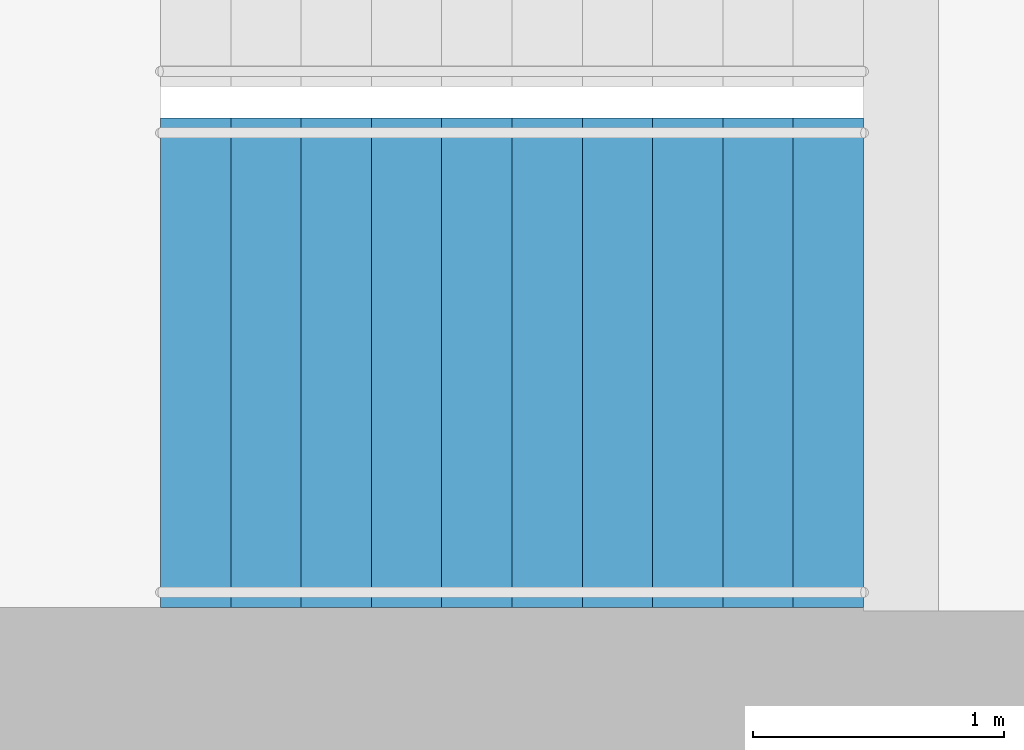
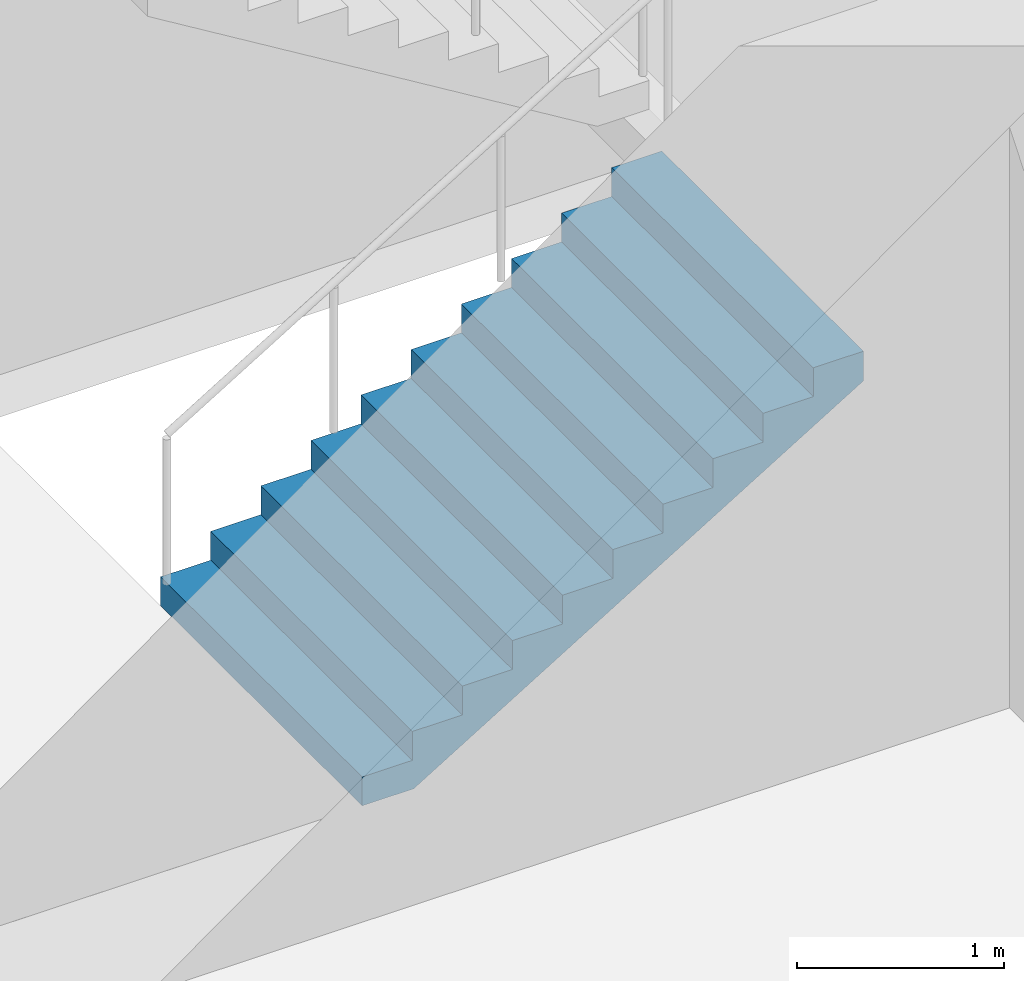
# One storey, part 18 of 22: 1 stair flight, 1 element without a shape of its own.
"""IFC4 building model written with IfcOpenShell, lengths in metres."""

from ifc_helpers import new_model, si_unit, direction, frame, origin, place, context, subcontext, project, spatial, triangles, material, type_object, element, aggregate, save


model = new_model("IFC4")

# Units and contexts
model_context = context("Model", 3, precision=1e-05, world=origin(), true_north=direction((0.0, 1.0)))
body_context = subcontext(model_context, "Body", "Model", "MODEL_VIEW")
ifc_project = project(units=[si_unit("LENGTHUNIT", "METRE"), si_unit("AREAUNIT", "SQUARE_METRE"), si_unit("VOLUMEUNIT", "CUBIC_METRE"), si_unit("PLANEANGLEUNIT", "RADIAN"), si_unit("MASSUNIT", "GRAM", prefix="KILO")], contexts=[model_context])

# Site, building, storey
site_placement = place(None, origin())
site = spatial("IfcSite", under=ifc_project, at=site_placement, CompositionType="ELEMENT")
building_placement = place(site_placement, origin())
building = spatial("IfcBuilding", under=site, at=building_placement, Name="Orbita Commons", CompositionType="ELEMENT")
storey_placement = place(building_placement, frame((0.0, 0.0, 197.35009765625)))
storey = spatial("IfcBuildingStorey", under=building, at=storey_placement, Name="L49", CompositionType="ELEMENT", Elevation=197.35009765625)

# Stair, stair flight
ifc_material_1 = material(Name="Precast concrete C40/50", Category="concrete")
stair_type = type_object("IfcStairType", Name="Exit stair S1 2 flights 11 risers 170", PredefinedType="HALF_TURN_STAIR", material=ifc_material_1)
stair_placement = place(storey_placement, origin())
stair = element("IfcStair", 1, at=stair_placement, inside=storey, type_object=stair_type, Name="Exit stair S1 L49", PredefinedType="HALF_TURN_STAIR")
ifc_material_2 = material(Name="Precast concrete C40/50", Category="concrete")
stair_flight_type = type_object("IfcStairFlightType", Name="Stair flight 11 risers 170 x 280", PredefinedType="STRAIGHT", material=ifc_material_2)
stair_flight_placement = place(storey_placement, frame((20.449951171875, 27.199951171875, 0.0), z_axis=(0.0, 0.0, 1.0), x_axis=(1.0, 0.0, 0.0)))
stair_flight = element("IfcStairFlight", 2, at=stair_flight_placement, type_object=stair_flight_type, Name="S1 flight 1", NumberOfRisers=11, NumberOfTreads=10, PredefinedType="STRAIGHT", RiserHeight=0.170454545, TreadLength=0.28, context=body_context, shape_type="Tessellation", body=[
    triangles([(0.0, 0.974976, 0.0), (0.0, 0.974976, 0.021307), (0.0, 0.81248, 0.021307), (0.0, 0.81248, 0.0), (0.0, 0.649984, 0.021307), (0.0, 0.649984, 0.0), (0.0, 0.487488, 0.021307), (0.0, 0.487488, 0.0), (0.0, 0.324992, 0.021307), (0.0, 0.324992, 0.0), (0.0, 0.162496, 0.021307), (0.0, 0.162496, 0.0), (0.0, 0.0, 0.021307), (0.0, 0.0, 0.0), (0.0, -0.162496, 0.021307), (0.0, -0.162496, 0.0), (0.0, -0.324992, 0.021307), (0.0, -0.324992, 0.0), (0.0, -0.487488, 0.021307), (0.0, -0.487488, 0.0), (0.0, -0.649984, 0.021307), (0.0, -0.649984, 0.0), (0.0, -0.81248, 0.021307), (0.0, -0.81248, 0.0), (0.0, -0.974976, 0.021307), (0.0, -0.974976, 0.0), (0.0, 0.974976, 0.042614), (0.0, 0.81248, 0.042614), (0.0, 0.649984, 0.042614), (0.0, 0.487488, 0.042614), (0.0, 0.324992, 0.042614), (0.0, 0.162496, 0.042614), (0.0, 0.0, 0.042614), (0.0, -0.162496, 0.042614), (0.0, -0.324992, 0.042614), (0.0, -0.487488, 0.042614), (0.0, -0.649984, 0.042614), (0.0, -0.81248, 0.042614), (0.0, -0.974976, 0.042614), (0.0, 0.974976, 0.06392), (0.0, 0.81248, 0.06392), (0.0, 0.649984, 0.06392), (0.0, 0.487488, 0.06392), (0.0, 0.324992, 0.06392), (0.0, 0.162496, 0.06392), (0.0, 0.0, 0.06392), (0.0, -0.162496, 0.06392), (0.0, -0.324992, 0.06392), (0.0, -0.487488, 0.06392), (0.0, -0.649984, 0.06392), (0.0, -0.81248, 0.06392), (0.0, -0.974976, 0.06392), (0.0, 0.974976, 0.085227), (0.0, 0.81248, 0.085227), (0.0, 0.649984, 0.085227), (0.0, 0.487488, 0.085227), (0.0, 0.324992, 0.085227), (0.0, 0.162496, 0.085227), (0.0, 0.0, 0.085227), (0.0, -0.162496, 0.085227), (0.0, -0.324992, 0.085227), (0.0, -0.487488, 0.085227), (0.0, -0.649984, 0.085227), (0.0, -0.81248, 0.085227), (0.0, -0.974976, 0.085227), (0.0, 0.974976, 0.106534), (0.0, 0.81248, 0.106534), (0.0, 0.649984, 0.106534), (0.0, 0.487488, 0.106534), (0.0, 0.324992, 0.106534), (0.0, 0.162496, 0.106534), (0.0, 0.0, 0.106534), (0.0, -0.162496, 0.106534), (0.0, -0.324992, 0.106534), (0.0, -0.487488, 0.106534), (0.0, -0.649984, 0.106534), (0.0, -0.81248, 0.106534), (0.0, -0.974976, 0.106534), (0.0, 0.974976, 0.127841), (0.0, 0.81248, 0.127841), (0.0, 0.649984, 0.127841), (0.0, 0.487488, 0.127841), (0.0, 0.324992, 0.127841), (0.0, 0.162496, 0.127841), (0.0, 0.0, 0.127841), (0.0, -0.162496, 0.127841), (0.0, -0.324992, 0.127841), (0.0, -0.487488, 0.127841), (0.0, -0.649984, 0.127841), (0.0, -0.81248, 0.127841), (0.0, -0.974976, 0.127841), (0.0, 0.974976, 0.149148), (0.0, 0.81248, 0.149148), (0.0, 0.649984, 0.149148), (0.0, 0.487488, 0.149148), (0.0, 0.324992, 0.149148), (0.0, 0.162496, 0.149148), (0.0, 0.0, 0.149148), (0.0, -0.162496, 0.149148), (0.0, -0.324992, 0.149148), (0.0, -0.487488, 0.149148), (0.0, -0.649984, 0.149148), (0.0, -0.81248, 0.149148), (0.0, -0.974976, 0.149148), (0.0, 0.974976, 0.170455), (0.0, 0.81248, 0.170455), (0.0, 0.649984, 0.170455), (0.0, 0.487488, 0.170455), (0.0, 0.324992, 0.170455), (0.0, 0.162496, 0.170455), (0.0, 0.0, 0.170455), (0.0, -0.162496, 0.170455), (0.0, -0.324992, 0.170455), (0.0, -0.487488, 0.170455), (0.0, -0.649984, 0.170455), (0.0, -0.81248, 0.170455), (0.0, -0.974976, 0.170455), (0.28, 0.974976, 0.170455), (0.28, 0.81248, 0.170455), (0.28, 0.649984, 0.170455), (0.28, 0.487488, 0.170455), (0.28, 0.324992, 0.170455), (0.28, 0.162496, 0.170455), (0.28, 0.0, 0.170455), (0.28, -0.162496, 0.170455), (0.28, -0.324992, 0.170455), (0.28, -0.487488, 0.170455), (0.28, -0.649984, 0.170455), (0.28, -0.81248, 0.170455), (0.28, -0.974976, 0.170455), (0.28, 0.974976, 0.340909), (0.28, 0.81248, 0.340909), (0.28, 0.649984, 0.340909), (0.28, 0.487488, 0.340909), (0.28, 0.324992, 0.340909), (0.28, 0.162496, 0.340909), (0.28, 0.0, 0.340909), (0.28, -0.162496, 0.340909), (0.28, -0.324992, 0.340909), (0.28, -0.487488, 0.340909), (0.28, -0.649984, 0.340909), (0.28, -0.81248, 0.340909), (0.28, -0.974976, 0.340909), (0.56, 0.974976, 0.340909), (0.56, 0.81248, 0.340909), (0.56, 0.649984, 0.340909), (0.56, 0.487488, 0.340909), (0.56, 0.324992, 0.340909), (0.56, 0.162496, 0.340909), (0.56, 0.0, 0.340909), (0.56, -0.162496, 0.340909), (0.56, -0.324992, 0.340909), (0.56, -0.487488, 0.340909), (0.56, -0.649984, 0.340909), (0.56, -0.81248, 0.340909), (0.56, -0.974976, 0.340909), (0.56, 0.974976, 0.511364), (0.56, 0.81248, 0.511364), (0.56, 0.649984, 0.511364), (0.56, 0.487488, 0.511364), (0.56, 0.324992, 0.511364), (0.56, 0.162496, 0.511364), (0.56, 0.0, 0.511364), (0.56, -0.162496, 0.511364), (0.56, -0.324992, 0.511364), (0.56, -0.487488, 0.511364), (0.56, -0.649984, 0.511364), (0.56, -0.81248, 0.511364), (0.56, -0.974976, 0.511364), (0.84, 0.974976, 0.511364), (0.84, 0.81248, 0.511364), (0.84, 0.649984, 0.511364), (0.84, 0.487488, 0.511364), (0.84, 0.324992, 0.511364), (0.84, 0.162496, 0.511364), (0.84, 0.0, 0.511364), (0.84, -0.162496, 0.511364), (0.84, -0.324992, 0.511364), (0.84, -0.487488, 0.511364), (0.84, -0.649984, 0.511364), (0.84, -0.81248, 0.511364), (0.84, -0.974976, 0.511364), (0.84, 0.974976, 0.681818), (0.84, 0.81248, 0.681818), (0.84, 0.649984, 0.681818), (0.84, 0.487488, 0.681818), (0.84, 0.324992, 0.681818), (0.84, 0.162496, 0.681818), (0.84, 0.0, 0.681818), (0.84, -0.162496, 0.681818), (0.84, -0.324992, 0.681818), (0.84, -0.487488, 0.681818), (0.84, -0.649984, 0.681818), (0.84, -0.81248, 0.681818), (0.84, -0.974976, 0.681818), (1.12, 0.974976, 0.681818), (1.12, 0.81248, 0.681818), (1.12, 0.649984, 0.681818), (1.12, 0.487488, 0.681818), (1.12, 0.324992, 0.681818), (1.12, 0.162496, 0.681818), (1.12, 0.0, 0.681818), (1.12, -0.162496, 0.681818), (1.12, -0.324992, 0.681818), (1.12, -0.487488, 0.681818), (1.12, -0.649984, 0.681818), (1.12, -0.81248, 0.681818), (1.12, -0.974976, 0.681818), (1.12, 0.974976, 0.852273), (1.12, 0.81248, 0.852273), (1.12, 0.649984, 0.852273), (1.12, 0.487488, 0.852273), (1.12, 0.324992, 0.852273), (1.12, 0.162496, 0.852273), (1.12, 0.0, 0.852273), (1.12, -0.162496, 0.852273), (1.12, -0.324992, 0.852273), (1.12, -0.487488, 0.852273), (1.12, -0.649984, 0.852273), (1.12, -0.81248, 0.852273), (1.12, -0.974976, 0.852273), (1.4, 0.974976, 0.852273), (1.4, 0.81248, 0.852273), (1.4, 0.649984, 0.852273), (1.4, 0.487488, 0.852273), (1.4, 0.324992, 0.852273), (1.4, 0.162496, 0.852273), (1.4, 0.0, 0.852273), (1.4, -0.162496, 0.852273), (1.4, -0.324992, 0.852273), (1.4, -0.487488, 0.852273), (1.4, -0.649984, 0.852273), (1.4, -0.81248, 0.852273), (1.4, -0.974976, 0.852273), (1.4, 0.974976, 1.022727), (1.4, 0.81248, 1.022727), (1.4, 0.649984, 1.022727), (1.4, 0.487488, 1.022727), (1.4, 0.324992, 1.022727), (1.4, 0.162496, 1.022727), (1.4, 0.0, 1.022727), (1.4, -0.162496, 1.022727), (1.4, -0.324992, 1.022727), (1.4, -0.487488, 1.022727), (1.4, -0.649984, 1.022727), (1.4, -0.81248, 1.022727), (1.4, -0.974976, 1.022727), (1.68, 0.974976, 1.022727), (1.68, 0.81248, 1.022727), (1.68, 0.649984, 1.022727), (1.68, 0.487488, 1.022727), (1.68, 0.324992, 1.022727), (1.68, 0.162496, 1.022727), (1.68, 0.0, 1.022727), (1.68, -0.162496, 1.022727), (1.68, -0.324992, 1.022727), (1.68, -0.487488, 1.022727), (1.68, -0.649984, 1.022727), (1.68, -0.81248, 1.022727), (1.68, -0.974976, 1.022727), (1.68, 0.974976, 1.193182), (1.68, 0.81248, 1.193182), (1.68, 0.649984, 1.193182), (1.68, 0.487488, 1.193182), (1.68, 0.324992, 1.193182), (1.68, 0.162496, 1.193182), (1.68, 0.0, 1.193182), (1.68, -0.162496, 1.193182), (1.68, -0.324992, 1.193182), (1.68, -0.487488, 1.193182), (1.68, -0.649984, 1.193182), (1.68, -0.81248, 1.193182), (1.68, -0.974976, 1.193182), (1.96, 0.974976, 1.193182), (1.96, 0.81248, 1.193182), (1.96, 0.649984, 1.193182), (1.96, 0.487488, 1.193182), (1.96, 0.324992, 1.193182), (1.96, 0.162496, 1.193182), (1.96, 0.0, 1.193182), (1.96, -0.162496, 1.193182), (1.96, -0.324992, 1.193182), (1.96, -0.487488, 1.193182), (1.96, -0.649984, 1.193182), (1.96, -0.81248, 1.193182), (1.96, -0.974976, 1.193182), (1.96, 0.974976, 1.363636), (1.96, 0.81248, 1.363636), (1.96, 0.649984, 1.363636), (1.96, 0.487488, 1.363636), (1.96, 0.324992, 1.363636), (1.96, 0.162496, 1.363636), (1.96, 0.0, 1.363636), (1.96, -0.162496, 1.363636), (1.96, -0.324992, 1.363636), (1.96, -0.487488, 1.363636), (1.96, -0.649984, 1.363636), (1.96, -0.81248, 1.363636), (1.96, -0.974976, 1.363636), (2.24, 0.974976, 1.363636), (2.24, 0.81248, 1.363636), (2.24, 0.649984, 1.363636), (2.24, 0.487488, 1.363636), (2.24, 0.324992, 1.363636), (2.24, 0.162496, 1.363636), (2.24, 0.0, 1.363636), (2.24, -0.162496, 1.363636), (2.24, -0.324992, 1.363636), (2.24, -0.487488, 1.363636), (2.24, -0.649984, 1.363636), (2.24, -0.81248, 1.363636), (2.24, -0.974976, 1.363636), (2.24, 0.974976, 1.534091), (2.24, 0.81248, 1.534091), (2.24, 0.649984, 1.534091), (2.24, 0.487488, 1.534091), (2.24, 0.324992, 1.534091), (2.24, 0.162496, 1.534091), (2.24, 0.0, 1.534091), (2.24, -0.162496, 1.534091), (2.24, -0.324992, 1.534091), (2.24, -0.487488, 1.534091), (2.24, -0.649984, 1.534091), (2.24, -0.81248, 1.534091), (2.24, -0.974976, 1.534091), (2.52, 0.974976, 1.534091), (2.52, 0.81248, 1.534091), (2.52, 0.649984, 1.534091), (2.52, 0.487488, 1.534091), (2.52, 0.324992, 1.534091), (2.52, 0.162496, 1.534091), (2.52, 0.0, 1.534091), (2.52, -0.162496, 1.534091), (2.52, -0.324992, 1.534091), (2.52, -0.487488, 1.534091), (2.52, -0.649984, 1.534091), (2.52, -0.81248, 1.534091), (2.52, -0.974976, 1.534091), (2.52, 0.974976, 1.704545), (2.52, 0.81248, 1.704545), (2.52, 0.649984, 1.704545), (2.52, 0.487488, 1.704545), (2.52, 0.324992, 1.704545), (2.52, 0.162496, 1.704545), (2.52, 0.0, 1.704545), (2.52, -0.162496, 1.704545), (2.52, -0.324992, 1.704545), (2.52, -0.487488, 1.704545), (2.52, -0.649984, 1.704545), (2.52, -0.81248, 1.704545), (2.52, -0.974976, 1.704545), (2.8, 0.974976, 1.704545), (2.8, 0.81248, 1.704545), (2.8, 0.649984, 1.704545), (2.8, 0.487488, 1.704545), (2.8, 0.324992, 1.704545), (2.8, 0.162496, 1.704545), (2.8, 0.0, 1.704545), (2.8, -0.162496, 1.704545), (2.8, -0.324992, 1.704545), (2.8, -0.487488, 1.704545), (2.8, -0.649984, 1.704545), (2.8, -0.81248, 1.704545), (2.8, -0.974976, 1.704545), (2.8, 0.974976, 1.682609), (2.8, 0.81248, 1.682609), (2.8, 0.649984, 1.682609), (2.8, 0.487488, 1.682609), (2.8, 0.324992, 1.682609), (2.8, 0.162496, 1.682609), (2.8, 0.0, 1.682609), (2.8, -0.162496, 1.682609), (2.8, -0.324992, 1.682609), (2.8, -0.487488, 1.682609), (2.8, -0.649984, 1.682609), (2.8, -0.81248, 1.682609), (2.8, -0.974976, 1.682609), (2.8, 0.974976, 1.660672), (2.8, 0.81248, 1.660672), (2.8, 0.649984, 1.660672), (2.8, 0.487488, 1.660672), (2.8, 0.324992, 1.660672), (2.8, 0.162496, 1.660672), (2.8, 0.0, 1.660672), (2.8, -0.162496, 1.660672), (2.8, -0.324992, 1.660672), (2.8, -0.487488, 1.660672), (2.8, -0.649984, 1.660672), (2.8, -0.81248, 1.660672), (2.8, -0.974976, 1.660672), (2.8, 0.974976, 1.638735), (2.8, 0.81248, 1.638735), (2.8, 0.649984, 1.638735), (2.8, 0.487488, 1.638735), (2.8, 0.324992, 1.638735), (2.8, 0.162496, 1.638735), (2.8, 0.0, 1.638735), (2.8, -0.162496, 1.638735), (2.8, -0.324992, 1.638735), (2.8, -0.487488, 1.638735), (2.8, -0.649984, 1.638735), (2.8, -0.81248, 1.638735), (2.8, -0.974976, 1.638735), (2.8, 0.974976, 1.616798), (2.8, 0.81248, 1.616798), (2.8, 0.649984, 1.616798), (2.8, 0.487488, 1.616798), (2.8, 0.324992, 1.616798), (2.8, 0.162496, 1.616798), (2.8, 0.0, 1.616798), (2.8, -0.162496, 1.616798), (2.8, -0.324992, 1.616798), (2.8, -0.487488, 1.616798), (2.8, -0.649984, 1.616798), (2.8, -0.81248, 1.616798), (2.8, -0.974976, 1.616798), (2.8, 0.974976, 1.594861), (2.8, 0.81248, 1.594861), (2.8, 0.649984, 1.594861), (2.8, 0.487488, 1.594861), (2.8, 0.324992, 1.594861), (2.8, 0.162496, 1.594861), (2.8, 0.0, 1.594861), (2.8, -0.162496, 1.594861), (2.8, -0.324992, 1.594861), (2.8, -0.487488, 1.594861), (2.8, -0.649984, 1.594861), (2.8, -0.81248, 1.594861), (2.8, -0.974976, 1.594861), (2.8, 0.974976, 1.572925), (2.8, 0.81248, 1.572925), (2.8, 0.649984, 1.572925), (2.8, 0.487488, 1.572925), (2.8, 0.324992, 1.572925), (2.8, 0.162496, 1.572925), (2.8, 0.0, 1.572925), (2.8, -0.162496, 1.572925), (2.8, -0.324992, 1.572925), (2.8, -0.487488, 1.572925), (2.8, -0.649984, 1.572925), (2.8, -0.81248, 1.572925), (2.8, -0.974976, 1.572925), (2.8, 0.974976, 1.550988), (2.8, 0.81248, 1.550988), (2.8, 0.649984, 1.550988), (2.8, 0.487488, 1.550988), (2.8, 0.324992, 1.550988), (2.8, 0.162496, 1.550988), (2.8, 0.0, 1.550988), (2.8, -0.162496, 1.550988), (2.8, -0.324992, 1.550988), (2.8, -0.487488, 1.550988), (2.8, -0.649984, 1.550988), (2.8, -0.81248, 1.550988), (2.8, -0.974976, 1.550988), (2.8, 0.974976, 1.529051), (2.8, 0.81248, 1.529051), (2.8, 0.649984, 1.529051), (2.8, 0.487488, 1.529051), (2.8, 0.324992, 1.529051), (2.8, 0.162496, 1.529051), (2.8, 0.0, 1.529051), (2.8, -0.162496, 1.529051), (2.8, -0.324992, 1.529051), (2.8, -0.487488, 1.529051), (2.8, -0.649984, 1.529051), (2.8, -0.81248, 1.529051), (2.8, -0.974976, 1.529051), (0.288279, 0.974976, 0.0), (0.288279, 0.81248, 0.0), (0.288279, 0.649984, 0.0), (0.288279, 0.487488, 0.0), (0.288279, 0.324992, 0.0), (0.288279, 0.162496, 0.0), (0.288279, 0.0, 0.0), (0.288279, -0.162496, 0.0), (0.288279, -0.324992, 0.0), (0.288279, -0.487488, 0.0), (0.288279, -0.649984, 0.0), (0.288279, -0.81248, 0.0), (0.288279, -0.974976, 0.0)], [[3, 2, 1], [4, 3, 1], [5, 3, 4], [6, 5, 4], [7, 5, 6], [8, 7, 6], [9, 7, 8], [10, 9, 8], [11, 9, 10], [12, 11, 10], [13, 11, 12], [14, 13, 12], [15, 13, 14], [16, 15, 14], [17, 15, 16], [18, 17, 16], [19, 17, 18], [20, 19, 18], [21, 19, 20], [22, 21, 20], [23, 21, 22], [24, 23, 22], [25, 23, 24], [26, 25, 24], [28, 27, 2], [3, 28, 2], [29, 28, 3], [5, 29, 3], [30, 29, 5], [7, 30, 5], [31, 30, 7], [9, 31, 7], [32, 31, 9], [11, 32, 9], [33, 32, 11], [13, 33, 11], [34, 33, 13], [15, 34, 13], [35, 34, 15], [17, 35, 15], [36, 35, 17], [19, 36, 17], [37, 36, 19], [21, 37, 19], [38, 37, 21], [23, 38, 21], [39, 38, 23], [25, 39, 23], [41, 40, 27], [28, 41, 27], [42, 41, 28], [29, 42, 28], [43, 42, 29], [30, 43, 29], [44, 43, 30], [31, 44, 30], [45, 44, 31], [32, 45, 31], [46, 45, 32], [33, 46, 32], [47, 46, 33], [34, 47, 33], [48, 47, 34], [35, 48, 34], [49, 48, 35], [36, 49, 35], [50, 49, 36], [37, 50, 36], [51, 50, 37], [38, 51, 37], [52, 51, 38], [39, 52, 38], [54, 53, 40], [41, 54, 40], [55, 54, 41], [42, 55, 41], [56, 55, 42], [43, 56, 42], [57, 56, 43], [44, 57, 43], [58, 57, 44], [45, 58, 44], [59, 58, 45], [46, 59, 45], [60, 59, 46], [47, 60, 46], [61, 60, 47], [48, 61, 47], [62, 61, 48], [49, 62, 48], [63, 62, 49], [50, 63, 49], [64, 63, 50], [51, 64, 50], [65, 64, 51], [52, 65, 51], [67, 66, 53], [54, 67, 53], [68, 67, 54], [55, 68, 54], [69, 68, 55], [56, 69, 55], [70, 69, 56], [57, 70, 56], [71, 70, 57], [58, 71, 57], [72, 71, 58], [59, 72, 58], [73, 72, 59], [60, 73, 59], [74, 73, 60], [61, 74, 60], [75, 74, 61], [62, 75, 61], [76, 75, 62], [63, 76, 62], [77, 76, 63], [64, 77, 63], [78, 77, 64], [65, 78, 64], [80, 79, 66], [67, 80, 66], [81, 80, 67], [68, 81, 67], [82, 81, 68], [69, 82, 68], [83, 82, 69], [70, 83, 69], [84, 83, 70], [71, 84, 70], [85, 84, 71], [72, 85, 71], [86, 85, 72], [73, 86, 72], [87, 86, 73], [74, 87, 73], [88, 87, 74], [75, 88, 74], [89, 88, 75], [76, 89, 75], [90, 89, 76], [77, 90, 76], [91, 90, 77], [78, 91, 77], [93, 92, 79], [80, 93, 79], [94, 93, 80], [81, 94, 80], [95, 94, 81], [82, 95, 81], [96, 95, 82], [83, 96, 82], [97, 96, 83], [84, 97, 83], [98, 97, 84], [85, 98, 84], [99, 98, 85], [86, 99, 85], [100, 99, 86], [87, 100, 86], [101, 100, 87], [88, 101, 87], [102, 101, 88], [89, 102, 88], [103, 102, 89], [90, 103, 89], [104, 103, 90], [91, 104, 90], [106, 105, 92], [93, 106, 92], [107, 106, 93], [94, 107, 93], [108, 107, 94], [95, 108, 94], [109, 108, 95], [96, 109, 95], [110, 109, 96], [97, 110, 96], [111, 110, 97], [98, 111, 97], [112, 111, 98], [99, 112, 98], [113, 112, 99], [100, 113, 99], [114, 113, 100], [101, 114, 100], [115, 114, 101], [102, 115, 101], [116, 115, 102], [103, 116, 102], [117, 116, 103], [104, 117, 103], [119, 118, 105], [106, 119, 105], [120, 119, 106], [107, 120, 106], [121, 120, 107], [108, 121, 107], [122, 121, 108], [109, 122, 108], [123, 122, 109], [110, 123, 109], [124, 123, 110], [111, 124, 110], [125, 124, 111], [112, 125, 111], [126, 125, 112], [113, 126, 112], [127, 126, 113], [114, 127, 113], [128, 127, 114], [115, 128, 114], [129, 128, 115], [116, 129, 115], [130, 129, 116], [117, 130, 116], [132, 131, 118], [119, 132, 118], [133, 132, 119], [120, 133, 119], [134, 133, 120], [121, 134, 120], [135, 134, 121], [122, 135, 121], [136, 135, 122], [123, 136, 122], [137, 136, 123], [124, 137, 123], [138, 137, 124], [125, 138, 124], [139, 138, 125], [126, 139, 125], [140, 139, 126], [127, 140, 126], [141, 140, 127], [128, 141, 127], [142, 141, 128], [129, 142, 128], [143, 142, 129], [130, 143, 129], [145, 144, 131], [132, 145, 131], [146, 145, 132], [133, 146, 132], [147, 146, 133], [134, 147, 133], [148, 147, 134], [135, 148, 134], [149, 148, 135], [136, 149, 135], [150, 149, 136], [137, 150, 136], [151, 150, 137], [138, 151, 137], [152, 151, 138], [139, 152, 138], [153, 152, 139], [140, 153, 139], [154, 153, 140], [141, 154, 140], [155, 154, 141], [142, 155, 141], [156, 155, 142], [143, 156, 142], [158, 157, 144], [145, 158, 144], [159, 158, 145], [146, 159, 145], [160, 159, 146], [147, 160, 146], [161, 160, 147], [148, 161, 147], [162, 161, 148], [149, 162, 148], [163, 162, 149], [150, 163, 149], [164, 163, 150], [151, 164, 150], [165, 164, 151], [152, 165, 151], [166, 165, 152], [153, 166, 152], [167, 166, 153], [154, 167, 153], [168, 167, 154], [155, 168, 154], [169, 168, 155], [156, 169, 155], [171, 170, 157], [158, 171, 157], [172, 171, 158], [159, 172, 158], [173, 172, 159], [160, 173, 159], [174, 173, 160], [161, 174, 160], [175, 174, 161], [162, 175, 161], [176, 175, 162], [163, 176, 162], [177, 176, 163], [164, 177, 163], [178, 177, 164], [165, 178, 164], [179, 178, 165], [166, 179, 165], [180, 179, 166], [167, 180, 166], [181, 180, 167], [168, 181, 167], [182, 181, 168], [169, 182, 168], [184, 183, 170], [171, 184, 170], [185, 184, 171], [172, 185, 171], [186, 185, 172], [173, 186, 172], [187, 186, 173], [174, 187, 173], [188, 187, 174], [175, 188, 174], [189, 188, 175], [176, 189, 175], [190, 189, 176], [177, 190, 176], [191, 190, 177], [178, 191, 177], [192, 191, 178], [179, 192, 178], [193, 192, 179], [180, 193, 179], [194, 193, 180], [181, 194, 180], [195, 194, 181], [182, 195, 181], [197, 196, 183], [184, 197, 183], [198, 197, 184], [185, 198, 184], [199, 198, 185], [186, 199, 185], [200, 199, 186], [187, 200, 186], [201, 200, 187], [188, 201, 187], [202, 201, 188], [189, 202, 188], [203, 202, 189], [190, 203, 189], [204, 203, 190], [191, 204, 190], [205, 204, 191], [192, 205, 191], [206, 205, 192], [193, 206, 192], [207, 206, 193], [194, 207, 193], [208, 207, 194], [195, 208, 194], [210, 209, 196], [197, 210, 196], [211, 210, 197], [198, 211, 197], [212, 211, 198], [199, 212, 198], [213, 212, 199], [200, 213, 199], [214, 213, 200], [201, 214, 200], [215, 214, 201], [202, 215, 201], [216, 215, 202], [203, 216, 202], [217, 216, 203], [204, 217, 203], [218, 217, 204], [205, 218, 204], [219, 218, 205], [206, 219, 205], [220, 219, 206], [207, 220, 206], [221, 220, 207], [208, 221, 207], [223, 222, 209], [210, 223, 209], [224, 223, 210], [211, 224, 210], [225, 224, 211], [212, 225, 211], [226, 225, 212], [213, 226, 212], [227, 226, 213], [214, 227, 213], [228, 227, 214], [215, 228, 214], [229, 228, 215], [216, 229, 215], [230, 229, 216], [217, 230, 216], [231, 230, 217], [218, 231, 217], [232, 231, 218], [219, 232, 218], [233, 232, 219], [220, 233, 219], [234, 233, 220], [221, 234, 220], [236, 235, 222], [223, 236, 222], [237, 236, 223], [224, 237, 223], [238, 237, 224], [225, 238, 224], [239, 238, 225], [226, 239, 225], [240, 239, 226], [227, 240, 226], [241, 240, 227], [228, 241, 227], [242, 241, 228], [229, 242, 228], [243, 242, 229], [230, 243, 229], [244, 243, 230], [231, 244, 230], [245, 244, 231], [232, 245, 231], [246, 245, 232], [233, 246, 232], [247, 246, 233], [234, 247, 233], [249, 248, 235], [236, 249, 235], [250, 249, 236], [237, 250, 236], [251, 250, 237], [238, 251, 237], [252, 251, 238], [239, 252, 238], [253, 252, 239], [240, 253, 239], [254, 253, 240], [241, 254, 240], [255, 254, 241], [242, 255, 241], [256, 255, 242], [243, 256, 242], [257, 256, 243], [244, 257, 243], [258, 257, 244], [245, 258, 244], [259, 258, 245], [246, 259, 245], [260, 259, 246], [247, 260, 246], [262, 261, 248], [249, 262, 248], [263, 262, 249], [250, 263, 249], [264, 263, 250], [251, 264, 250], [265, 264, 251], [252, 265, 251], [266, 265, 252], [253, 266, 252], [267, 266, 253], [254, 267, 253], [268, 267, 254], [255, 268, 254], [269, 268, 255], [256, 269, 255], [270, 269, 256], [257, 270, 256], [271, 270, 257], [258, 271, 257], [272, 271, 258], [259, 272, 258], [273, 272, 259], [260, 273, 259], [275, 274, 261], [262, 275, 261], [276, 275, 262], [263, 276, 262], [277, 276, 263], [264, 277, 263], [278, 277, 264], [265, 278, 264], [279, 278, 265], [266, 279, 265], [280, 279, 266], [267, 280, 266], [281, 280, 267], [268, 281, 267], [282, 281, 268], [269, 282, 268], [283, 282, 269], [270, 283, 269], [284, 283, 270], [271, 284, 270], [285, 284, 271], [272, 285, 271], [286, 285, 272], [273, 286, 272], [288, 287, 274], [275, 288, 274], [289, 288, 275], [276, 289, 275], [290, 289, 276], [277, 290, 276], [291, 290, 277], [278, 291, 277], [292, 291, 278], [279, 292, 278], [293, 292, 279], [280, 293, 279], [294, 293, 280], [281, 294, 280], [295, 294, 281], [282, 295, 281], [296, 295, 282], [283, 296, 282], [297, 296, 283], [284, 297, 283], [298, 297, 284], [285, 298, 284], [299, 298, 285], [286, 299, 285], [301, 300, 287], [288, 301, 287], [302, 301, 288], [289, 302, 288], [303, 302, 289], [290, 303, 289], [304, 303, 290], [291, 304, 290], [305, 304, 291], [292, 305, 291], [306, 305, 292], [293, 306, 292], [307, 306, 293], [294, 307, 293], [308, 307, 294], [295, 308, 294], [309, 308, 295], [296, 309, 295], [310, 309, 296], [297, 310, 296], [311, 310, 297], [298, 311, 297], [312, 311, 298], [299, 312, 298], [314, 313, 300], [301, 314, 300], [315, 314, 301], [302, 315, 301], [316, 315, 302], [303, 316, 302], [317, 316, 303], [304, 317, 303], [318, 317, 304], [305, 318, 304], [319, 318, 305], [306, 319, 305], [320, 319, 306], [307, 320, 306], [321, 320, 307], [308, 321, 307], [322, 321, 308], [309, 322, 308], [323, 322, 309], [310, 323, 309], [324, 323, 310], [311, 324, 310], [325, 324, 311], [312, 325, 311], [327, 326, 313], [314, 327, 313], [328, 327, 314], [315, 328, 314], [329, 328, 315], [316, 329, 315], [330, 329, 316], [317, 330, 316], [331, 330, 317], [318, 331, 317], [332, 331, 318], [319, 332, 318], [333, 332, 319], [320, 333, 319], [334, 333, 320], [321, 334, 320], [335, 334, 321], [322, 335, 321], [336, 335, 322], [323, 336, 322], [337, 336, 323], [324, 337, 323], [338, 337, 324], [325, 338, 324], [340, 339, 326], [327, 340, 326], [341, 340, 327], [328, 341, 327], [342, 341, 328], [329, 342, 328], [343, 342, 329], [330, 343, 329], [344, 343, 330], [331, 344, 330], [345, 344, 331], [332, 345, 331], [346, 345, 332], [333, 346, 332], [347, 346, 333], [334, 347, 333], [348, 347, 334], [335, 348, 334], [349, 348, 335], [336, 349, 335], [350, 349, 336], [337, 350, 336], [351, 350, 337], [338, 351, 337], [353, 352, 339], [340, 353, 339], [354, 353, 340], [341, 354, 340], [355, 354, 341], [342, 355, 341], [356, 355, 342], [343, 356, 342], [357, 356, 343], [344, 357, 343], [358, 357, 344], [345, 358, 344], [359, 358, 345], [346, 359, 345], [360, 359, 346], [347, 360, 346], [361, 360, 347], [348, 361, 347], [362, 361, 348], [349, 362, 348], [363, 362, 349], [350, 363, 349], [364, 363, 350], [351, 364, 350], [366, 365, 352], [353, 366, 352], [367, 366, 353], [354, 367, 353], [368, 367, 354], [355, 368, 354], [369, 368, 355], [356, 369, 355], [370, 369, 356], [357, 370, 356], [371, 370, 357], [358, 371, 357], [372, 371, 358], [359, 372, 358], [373, 372, 359], [360, 373, 359], [374, 373, 360], [361, 374, 360], [375, 374, 361], [362, 375, 361], [376, 375, 362], [363, 376, 362], [377, 376, 363], [364, 377, 363], [379, 378, 365], [366, 379, 365], [380, 379, 366], [367, 380, 366], [381, 380, 367], [368, 381, 367], [382, 381, 368], [369, 382, 368], [383, 382, 369], [370, 383, 369], [384, 383, 370], [371, 384, 370], [385, 384, 371], [372, 385, 371], [386, 385, 372], [373, 386, 372], [387, 386, 373], [374, 387, 373], [388, 387, 374], [375, 388, 374], [389, 388, 375], [376, 389, 375], [390, 389, 376], [377, 390, 376], [392, 391, 378], [379, 392, 378], [393, 392, 379], [380, 393, 379], [394, 393, 380], [381, 394, 380], [395, 394, 381], [382, 395, 381], [396, 395, 382], [383, 396, 382], [397, 396, 383], [384, 397, 383], [398, 397, 384], [385, 398, 384], [399, 398, 385], [386, 399, 385], [400, 399, 386], [387, 400, 386], [401, 400, 387], [388, 401, 387], [402, 401, 388], [389, 402, 388], [403, 402, 389], [390, 403, 389], [405, 404, 391], [392, 405, 391], [406, 405, 392], [393, 406, 392], [407, 406, 393], [394, 407, 393], [408, 407, 394], [395, 408, 394], [409, 408, 395], [396, 409, 395], [410, 409, 396], [397, 410, 396], [411, 410, 397], [398, 411, 397], [412, 411, 398], [399, 412, 398], [413, 412, 399], [400, 413, 399], [414, 413, 400], [401, 414, 400], [415, 414, 401], [402, 415, 401], [416, 415, 402], [403, 416, 402], [418, 417, 404], [405, 418, 404], [419, 418, 405], [406, 419, 405], [420, 419, 406], [407, 420, 406], [421, 420, 407], [408, 421, 407], [422, 421, 408], [409, 422, 408], [423, 422, 409], [410, 423, 409], [424, 423, 410], [411, 424, 410], [425, 424, 411], [412, 425, 411], [426, 425, 412], [413, 426, 412], [427, 426, 413], [414, 427, 413], [428, 427, 414], [415, 428, 414], [429, 428, 415], [416, 429, 415], [431, 430, 417], [418, 431, 417], [432, 431, 418], [419, 432, 418], [433, 432, 419], [420, 433, 419], [434, 433, 420], [421, 434, 420], [435, 434, 421], [422, 435, 421], [436, 435, 422], [423, 436, 422], [437, 436, 423], [424, 437, 423], [438, 437, 424], [425, 438, 424], [439, 438, 425], [426, 439, 425], [440, 439, 426], [427, 440, 426], [441, 440, 427], [428, 441, 427], [442, 441, 428], [429, 442, 428], [444, 443, 430], [431, 444, 430], [445, 444, 431], [432, 445, 431], [446, 445, 432], [433, 446, 432], [447, 446, 433], [434, 447, 433], [448, 447, 434], [435, 448, 434], [449, 448, 435], [436, 449, 435], [450, 449, 436], [437, 450, 436], [451, 450, 437], [438, 451, 437], [452, 451, 438], [439, 452, 438], [453, 452, 439], [440, 453, 439], [454, 453, 440], [441, 454, 440], [455, 454, 441], [442, 455, 441], [457, 456, 443], [444, 457, 443], [458, 457, 444], [445, 458, 444], [459, 458, 445], [446, 459, 445], [460, 459, 446], [447, 460, 446], [461, 460, 447], [448, 461, 447], [462, 461, 448], [449, 462, 448], [463, 462, 449], [450, 463, 449], [464, 463, 450], [451, 464, 450], [465, 464, 451], [452, 465, 451], [466, 465, 452], [453, 466, 452], [467, 466, 453], [454, 467, 453], [468, 467, 454], [455, 468, 454], [470, 469, 456], [457, 470, 456], [471, 470, 457], [458, 471, 457], [472, 471, 458], [459, 472, 458], [473, 472, 459], [460, 473, 459], [474, 473, 460], [461, 474, 460], [475, 474, 461], [462, 475, 461], [476, 475, 462], [463, 476, 462], [477, 476, 463], [464, 477, 463], [478, 477, 464], [465, 478, 464], [479, 478, 465], [466, 479, 465], [480, 479, 466], [467, 480, 466], [481, 480, 467], [468, 481, 467], [4, 1, 469], [470, 4, 469], [6, 4, 470], [471, 6, 470], [8, 6, 471], [472, 8, 471], [10, 8, 472], [473, 10, 472], [12, 10, 473], [474, 12, 473], [14, 12, 474], [475, 14, 474], [16, 14, 475], [476, 16, 475], [18, 16, 476], [477, 18, 476], [20, 18, 477], [478, 20, 477], [22, 20, 478], [479, 22, 478], [24, 22, 479], [480, 24, 479], [26, 24, 480], [481, 26, 480], [456, 469, 1], [26, 481, 468], [443, 456, 1], [26, 468, 455], [430, 443, 1], [26, 455, 442], [417, 430, 1], [26, 442, 429], [404, 417, 1], [26, 429, 416], [391, 404, 1], [26, 416, 403], [378, 391, 1], [26, 403, 390], [365, 378, 1], [26, 390, 377], [339, 352, 365], [377, 364, 351], [326, 339, 365], [377, 351, 338], [300, 313, 326], [338, 325, 312], [300, 326, 365], [377, 338, 312], [274, 287, 300], [312, 299, 286], [274, 300, 365], [377, 312, 286], [248, 261, 274], [286, 273, 260], [248, 274, 365], [377, 286, 260], [222, 235, 248], [260, 247, 234], [222, 248, 365], [377, 260, 234], [196, 209, 222], [234, 221, 208], [196, 222, 365], [377, 234, 208], [170, 183, 196], [208, 195, 182], [170, 196, 365], [377, 208, 182], [144, 157, 170], [182, 169, 156], [144, 170, 365], [377, 182, 156], [118, 131, 144], [156, 143, 130], [118, 144, 365], [377, 156, 130], [118, 365, 1], [26, 377, 130], [92, 105, 118], [130, 117, 104], [79, 92, 118], [130, 104, 91], [66, 79, 118], [130, 91, 78], [53, 66, 118], [130, 78, 65], [40, 53, 118], [130, 65, 52], [27, 40, 118], [130, 52, 39], [2, 27, 118], [130, 39, 25], [1, 2, 118], [130, 25, 26]], closed=True),
])
aggregate(stair, [stair_flight])

save(model, "model.ifc")
